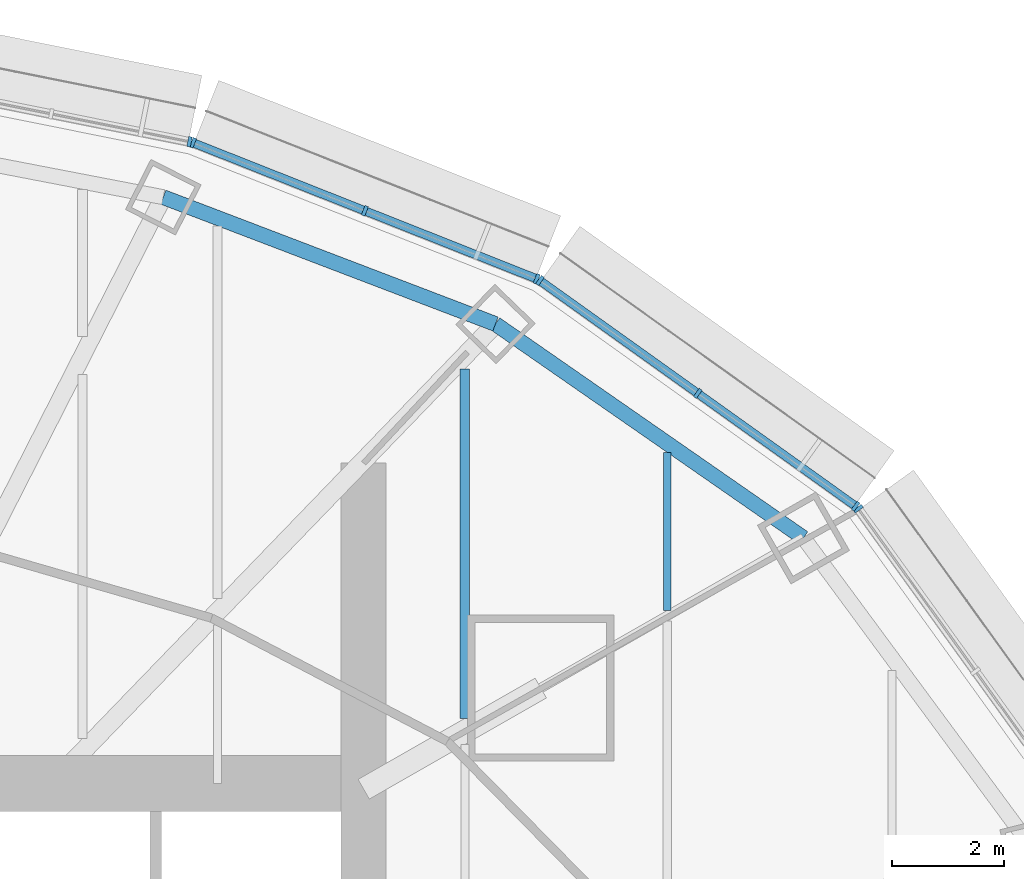
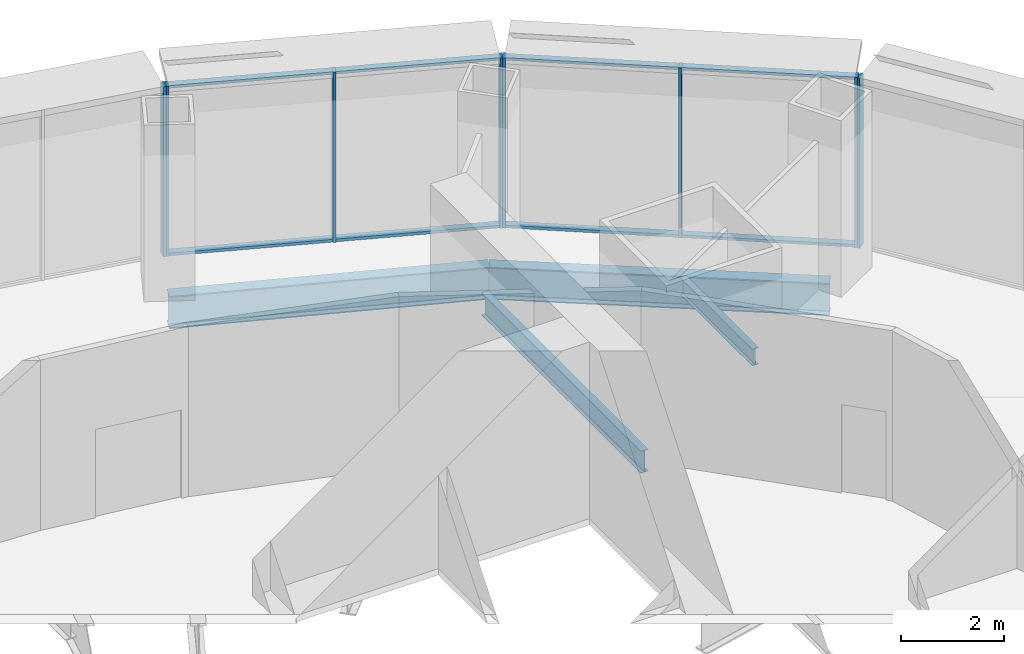
# One storey, part 9 of 16: 16 members, 4 beams, 4 elements without a shape of their own.
"""IFC4 building model written with IfcOpenShell, lengths in metres."""

from ifc_helpers import new_model, si_unit, direction, frame, origin, origin_2d, place, context, subcontext, project, spatial, rectangle, i_section, extrude, material, material_profile, profile_set, type_object, element, aggregate, save


model = new_model("IFC4")

# Units and contexts
model_context = context("Model", 3, precision=1e-05, world=origin(), true_north=direction((0.0, 1.0)))
body_context = subcontext(model_context, "Body", "Model", "MODEL_VIEW")
ifc_project = project(units=[si_unit("LENGTHUNIT", "METRE"), si_unit("AREAUNIT", "SQUARE_METRE"), si_unit("VOLUMEUNIT", "CUBIC_METRE"), si_unit("PLANEANGLEUNIT", "RADIAN"), si_unit("MASSUNIT", "GRAM", prefix="KILO")], contexts=[model_context])

# Site, building, storey
site_placement = place(None, origin())
site = spatial("IfcSite", under=ifc_project, at=site_placement, CompositionType="ELEMENT")
building_placement = place(site_placement, origin())
building = spatial("IfcBuilding", under=site, at=building_placement, Name="Lantaw Convention Tower", CompositionType="ELEMENT")
storey_placement = place(building_placement, frame((0.0, 0.0, 232.60009765625)))
storey = spatial("IfcBuildingStorey", under=building, at=storey_placement, Name="L54", CompositionType="ELEMENT", Elevation=232.60009765625)

# Beams
ifc_material_1 = material(Name="Steel ASTM A992", Category="steel")
ifc_material_profile_1 = material_profile(ifc_material_1, i_section(OverallWidth=0.2666015625, OverallDepth=0.76953125, WebThickness=0.015625, FlangeThickness=0.025390625, FilletRadius=0.0126953125, at=origin_2d()), Name="W30X132")
ifc_profile_set_1 = profile_set([ifc_material_profile_1], Name="Steel ASTM A992")
beam_type_1 = type_object("IfcBeamType", Name="Beam E W30X132", PredefinedType="SPANDREL", material=ifc_profile_set_1)
beam_1_placement = place(storey_placement, frame((20.423095703125, 11.67041015625, -0.534912109375), z_axis=(-0.82135329406, 0.570419815869, 0.0), x_axis=(-0.570419815869, -0.82135329406, 0.0)))
element("IfcBeam", 1, at=beam_1_placement, inside=storey, type_object=beam_type_1, Name="Edge beam 3", PredefinedType="SPANDREL", context=body_context, shape_type="SweptSolid", body=[
    extrude(i_section(OverallWidth=0.2666015625, OverallDepth=0.76953125, WebThickness=0.015625, FlangeThickness=0.025390625, FilletRadius=0.0126953125, at=origin_2d()), origin(), (0.0, 0.0, 1.0), 6.67041015625),
])
beam_2_placement = place(storey_placement, frame((14.9443359375, 15.475341796875, -0.534912109375), z_axis=(-0.934234988, 0.356658081637, 0.0), x_axis=(-0.356658081637, -0.934234988, 0.0)))
element("IfcBeam", 2, at=beam_2_placement, inside=storey, type_object=beam_type_1, Name="Edge beam 4", PredefinedType="SPANDREL", context=body_context, shape_type="SweptSolid", body=[
    extrude(i_section(OverallWidth=0.2666015625, OverallDepth=0.76953125, WebThickness=0.015625, FlangeThickness=0.025390625, FilletRadius=0.0126953125, at=origin_2d()), origin(), (0.0, 0.0, 1.0), 6.32568359375),
])
ifc_material_profile_2 = material_profile(ifc_material_1, i_section(OverallWidth=0.140380859375, OverallDepth=0.40380859375, WebThickness=0.007080078125, FlangeThickness=0.01123046875, FilletRadius=0.01025390625, at=origin_2d()), Name="W16X31")
ifc_profile_set_2 = profile_set([ifc_material_profile_2], Name="Steel ASTM A992")
beam_type_2 = type_object("IfcBeamType", Name="Beam J W16X31", PredefinedType="JOIST", material=ifc_profile_set_2)
beam_3_placement = place(storey_placement, frame((18.0, 10.380859375, -0.35205078125), z_axis=(0.0, 1.0, 0.0), x_axis=(-1.0, 0.0, 0.0)))
element("IfcBeam", 3, at=beam_3_placement, inside=storey, type_object=beam_type_2, Name="Floor joist", PredefinedType="JOIST", context=body_context, shape_type="SweptSolid", body=[
    extrude(i_section(OverallWidth=0.140380859375, OverallDepth=0.40380859375, WebThickness=0.007080078125, FlangeThickness=0.01123046875, FilletRadius=0.01025390625, at=origin_2d()), origin(), (0.0, 0.0, 1.0), 2.81005859375),
])
ifc_material_profile_3 = material_profile(ifc_material_1, i_section(OverallWidth=0.1650390625, OverallDepth=0.52587890625, WebThickness=0.0087890625, FlangeThickness=0.011474609375, FilletRadius=0.0126953125, at=origin_2d()), Name="W21X44")
ifc_profile_set_3 = profile_set([ifc_material_profile_3], Name="Steel ASTM A992")
beam_type_3 = type_object("IfcBeamType", Name="Beam J W21X44", PredefinedType="JOIST", material=ifc_profile_set_3)
beam_4_placement = place(storey_placement, frame((14.39990234375, 8.461181640625, -0.4130859375), z_axis=(0.0, 1.0, 0.0), x_axis=(-1.0, 0.0, 0.0)))
element("IfcBeam", 4, at=beam_4_placement, inside=storey, type_object=beam_type_3, Name="Floor joist", PredefinedType="JOIST", context=body_context, shape_type="SweptSolid", body=[
    extrude(i_section(OverallWidth=0.1650390625, OverallDepth=0.52587890625, WebThickness=0.0087890625, FlangeThickness=0.011474609375, FilletRadius=0.0126953125, at=origin_2d()), origin(), (0.0, 0.0, 1.0), 6.214599609375),
])

# Curtain wall, member
ifc_material_2 = material(Name="Aluminium framed curtain wall", Category="aluminium")
curtain_wall_type = type_object("IfcCurtainWallType", Name="Office curtain wall high rise, pale aluminium", PredefinedType="USERDEFINED", material=ifc_material_2)
curtain_wall_1_placement = place(storey_placement, origin())
curtain_wall_1 = element("IfcCurtainWall", 5, at=curtain_wall_1_placement, inside=storey, type_object=curtain_wall_type, Name="Office curtain wall high rise, pale aluminium L54", ObjectType="UNITISED CURTAIN WALL", PredefinedType="USERDEFINED")
ifc_material_3 = material(Name="Aluminium 6063-T6", Category="aluminium")
ifc_material_profile_4 = material_profile(ifc_material_3, rectangle(XDim=0.179931640625, YDim=0.06494140625, at=origin_2d()), Name="CW-O2 mullion 65x180")
ifc_profile_set_4 = profile_set([ifc_material_profile_4], Name="Aluminium 6063-T6")
member_type_1 = type_object("IfcMemberType", Name="CW-O2 mullion 65x180", PredefinedType="MULLION", material=ifc_profile_set_4)
member_1_placement = place(storey_placement, frame((21.397216796875, 12.189697265625, 0.0), z_axis=(0.0, 0.0, 1.0), x_axis=(-0.810919559405, -0.585157643865, 0.0)))
member_1 = element("IfcMember", 6, at=member_1_placement, type_object=member_type_1, Name="CW-O2 mullion 3", PredefinedType="MULLION", context=body_context, shape_type="SweptSolid", body=[
    extrude(rectangle(XDim=0.179931640625, YDim=0.06494140625, at=origin_2d()), origin(), (0.0, 0.0, 1.0), 4.0498046875),
])
aggregate(curtain_wall_1, [member_1])

# Curtain wall, members
curtain_wall_2_placement = place(storey_placement, origin())
curtain_wall_2 = element("IfcCurtainWall", 7, at=curtain_wall_2_placement, inside=storey, type_object=curtain_wall_type, Name="Office curtain wall high rise, pale aluminium L54", ObjectType="UNITISED CURTAIN WALL", PredefinedType="USERDEFINED")
member_2_placement = place(storey_placement, frame((21.3515625, 12.23486328125, 0.0), z_axis=(0.0, 0.0, 1.0), x_axis=(-0.581323487281, -0.813672540482, 0.0)))
member_2 = element("IfcMember", 8, at=member_2_placement, type_object=member_type_1, Name="CW-O2 mullion 1", PredefinedType="MULLION", context=body_context, shape_type="SweptSolid", body=[
    extrude(rectangle(XDim=0.179931640625, YDim=0.06494140625, at=origin_2d()), origin(), (0.0, 0.0, 1.0), 4.0498046875),
])
member_3_placement = place(storey_placement, frame((18.543212890625, 14.241455078125, 0.0), z_axis=(0.0, 0.0, 1.0), x_axis=(-0.581323487281, -0.813672540482, 0.0)))
member_3 = element("IfcMember", 9, at=member_3_placement, type_object=member_type_1, Name="CW-O2 mullion 2", PredefinedType="MULLION", context=body_context, shape_type="SweptSolid", body=[
    extrude(rectangle(XDim=0.179931640625, YDim=0.06494140625, at=origin_2d()), origin(), (0.0, 0.0, 1.0), 4.0498046875),
])
member_4_placement = place(storey_placement, frame((15.73486328125, 16.247802734375, 0.0), z_axis=(0.0, 0.0, 1.0), x_axis=(-0.581323487281, -0.813672540482, 0.0)))
member_4 = element("IfcMember", 10, at=member_4_placement, type_object=member_type_1, Name="CW-O2 mullion 3", PredefinedType="MULLION", context=body_context, shape_type="SweptSolid", body=[
    extrude(rectangle(XDim=0.179931640625, YDim=0.06494140625, at=origin_2d()), origin(), (0.0, 0.0, 1.0), 4.0498046875),
])

curtain_wall_3_placement = place(storey_placement, origin())
curtain_wall_3 = element("IfcCurtainWall", 11, at=curtain_wall_3_placement, inside=storey, type_object=curtain_wall_type, Name="Office curtain wall high rise, pale aluminium L54", ObjectType="UNITISED CURTAIN WALL", PredefinedType="USERDEFINED")
member_5_placement = place(storey_placement, frame((15.67822265625, 16.278564453125, 0.0), z_axis=(0.0, 0.0, 1.0), x_axis=(-0.368162315252, -0.929761533743, 0.0)))
member_5 = element("IfcMember", 12, at=member_5_placement, type_object=member_type_1, Name="CW-O2 mullion 1", PredefinedType="MULLION", context=body_context, shape_type="SweptSolid", body=[
    extrude(rectangle(XDim=0.179931640625, YDim=0.06494140625, at=origin_2d()), origin(), (0.0, 0.0, 1.0), 4.0498046875),
])
member_6_placement = place(storey_placement, frame((12.621337890625, 17.4892578125, 0.0), z_axis=(0.0, 0.0, 1.0), x_axis=(-0.368162315252, -0.929761533743, 0.0)))
member_6 = element("IfcMember", 13, at=member_6_placement, type_object=member_type_1, Name="CW-O2 mullion 2", PredefinedType="MULLION", context=body_context, shape_type="SweptSolid", body=[
    extrude(rectangle(XDim=0.179931640625, YDim=0.06494140625, at=origin_2d()), origin(), (0.0, 0.0, 1.0), 4.0498046875),
])
member_7_placement = place(storey_placement, frame((9.564208984375, 18.69970703125, 0.0), z_axis=(0.0, 0.0, 1.0), x_axis=(-0.368162315252, -0.929761533743, 0.0)))
member_7 = element("IfcMember", 14, at=member_7_placement, type_object=member_type_1, Name="CW-O2 mullion 3", PredefinedType="MULLION", context=body_context, shape_type="SweptSolid", body=[
    extrude(rectangle(XDim=0.179931640625, YDim=0.06494140625, at=origin_2d()), origin(), (0.0, 0.0, 1.0), 4.0498046875),
])

# Curtain wall, member
curtain_wall_4_placement = place(storey_placement, origin())
curtain_wall_4 = element("IfcCurtainWall", 15, at=curtain_wall_4_placement, inside=storey, type_object=curtain_wall_type, Name="Office curtain wall high rise, pale aluminium L54", ObjectType="UNITISED CURTAIN WALL", PredefinedType="USERDEFINED")
member_8_placement = place(storey_placement, frame((9.502197265625, 18.718017578125, 0.0), z_axis=(0.0, 0.0, 1.0), x_axis=(-0.197183095987, -0.980366679695, 0.0)))
member_8 = element("IfcMember", 16, at=member_8_placement, type_object=member_type_1, Name="CW-O2 mullion 1", PredefinedType="MULLION", context=body_context, shape_type="SweptSolid", body=[
    extrude(rectangle(XDim=0.179931640625, YDim=0.06494140625, at=origin_2d()), origin(), (0.0, 0.0, 1.0), 4.0498046875),
])
aggregate(curtain_wall_4, [member_8])

# Member
ifc_material_profile_5 = material_profile(ifc_material_3, rectangle(XDim=0.14990234375, YDim=0.06494140625, at=origin_2d()), Name="CW-O2 transom 65x150")
ifc_profile_set_5 = profile_set([ifc_material_profile_5], Name="Aluminium 6063-T6")
member_type_2 = type_object("IfcMemberType", Name="CW-O2 transom 65x150", PredefinedType="USERDEFINED", material=ifc_profile_set_5)
member_9_placement = place(storey_placement, frame((21.3251953125, 12.25390625, 0.032470703125), z_axis=(-0.813679882592, 0.581313210468, 0.0), x_axis=(-0.581313210468, -0.813679882592, 0.0)))
member_9 = element("IfcMember", 17, at=member_9_placement, type_object=member_type_2, Name="CW-O2 transom 1.1", ObjectType="TRANSOM", PredefinedType="USERDEFINED", context=body_context, shape_type="SweptSolid", body=[
    extrude(rectangle(XDim=0.14990234375, YDim=0.06494140625, at=origin_2d()), origin(), (0.0, 0.0, 1.0), 3.38623046875),
])

member_10_placement = place(storey_placement, frame((21.3251953125, 12.25390625, 4.017333984375), z_axis=(-0.813679882592, 0.581313210468, 0.0), x_axis=(-0.581313210468, -0.813679882592, 0.0)))
member_10 = element("IfcMember", 18, at=member_10_placement, type_object=member_type_2, Name="CW-O2 transom 1.2", ObjectType="TRANSOM", PredefinedType="USERDEFINED", context=body_context, shape_type="SweptSolid", body=[
    extrude(rectangle(XDim=0.14990234375, YDim=0.06494140625, at=origin_2d()), origin(), (0.0, 0.0, 1.0), 3.38623046875),
])

member_11_placement = place(storey_placement, frame((18.516845703125, 14.26025390625, 0.032470703125), z_axis=(-0.813645780821, 0.581360940683, 0.0), x_axis=(-0.581360940683, -0.813645780821, 0.0)))
member_11 = element("IfcMember", 19, at=member_11_placement, type_object=member_type_2, Name="CW-O2 transom 2.1", ObjectType="TRANSOM", PredefinedType="USERDEFINED", context=body_context, shape_type="SweptSolid", body=[
    extrude(rectangle(XDim=0.14990234375, YDim=0.06494140625, at=origin_2d()), origin(), (0.0, 0.0, 1.0), 3.386474609375),
])

member_12_placement = place(storey_placement, frame((18.516845703125, 14.26025390625, 4.017333984375), z_axis=(-0.813645780821, 0.581360940683, 0.0), x_axis=(-0.581360940683, -0.813645780821, 0.0)))
member_12 = element("IfcMember", 20, at=member_12_placement, type_object=member_type_2, Name="CW-O2 transom 2.2", ObjectType="TRANSOM", PredefinedType="USERDEFINED", context=body_context, shape_type="SweptSolid", body=[
    extrude(rectangle(XDim=0.14990234375, YDim=0.06494140625, at=origin_2d()), origin(), (0.0, 0.0, 1.0), 3.386474609375),
])

aggregate(curtain_wall_2, [member_2, member_3, member_4, member_9, member_10, member_11, member_12])

member_13_placement = place(storey_placement, frame((15.648193359375, 16.29052734375, 0.032470703125), z_axis=(-0.929740712354, 0.368214893495, 0.0), x_axis=(-0.368214893495, -0.929740712354, 0.0)))
member_13 = element("IfcMember", 21, at=member_13_placement, type_object=member_type_2, Name="CW-O2 transom 1.1", ObjectType="TRANSOM", PredefinedType="USERDEFINED", context=body_context, shape_type="SweptSolid", body=[
    extrude(rectangle(XDim=0.14990234375, YDim=0.06494140625, at=origin_2d()), origin(), (0.0, 0.0, 1.0), 3.22314453125),
])

member_14_placement = place(storey_placement, frame((15.648193359375, 16.29052734375, 4.017333984375), z_axis=(-0.929740712354, 0.368214893495, 0.0), x_axis=(-0.368214893495, -0.929740712354, 0.0)))
member_14 = element("IfcMember", 22, at=member_14_placement, type_object=member_type_2, Name="CW-O2 transom 1.2", ObjectType="TRANSOM", PredefinedType="USERDEFINED", context=body_context, shape_type="SweptSolid", body=[
    extrude(rectangle(XDim=0.14990234375, YDim=0.06494140625, at=origin_2d()), origin(), (0.0, 0.0, 1.0), 3.22314453125),
])

member_15_placement = place(storey_placement, frame((12.591064453125, 17.501220703125, 0.032470703125), z_axis=(-0.929766642946, 0.368149412149, 0.0), x_axis=(-0.368149412149, -0.929766642946, 0.0)))
member_15 = element("IfcMember", 23, at=member_15_placement, type_object=member_type_2, Name="CW-O2 transom 2.1", ObjectType="TRANSOM", PredefinedType="USERDEFINED", context=body_context, shape_type="SweptSolid", body=[
    extrude(rectangle(XDim=0.14990234375, YDim=0.06494140625, at=origin_2d()), origin(), (0.0, 0.0, 1.0), 3.222900390625),
])

member_16_placement = place(storey_placement, frame((12.591064453125, 17.501220703125, 4.017333984375), z_axis=(-0.929766642946, 0.368149412149, 0.0), x_axis=(-0.368149412149, -0.929766642946, 0.0)))
member_16 = element("IfcMember", 24, at=member_16_placement, type_object=member_type_2, Name="CW-O2 transom 2.2", ObjectType="TRANSOM", PredefinedType="USERDEFINED", context=body_context, shape_type="SweptSolid", body=[
    extrude(rectangle(XDim=0.14990234375, YDim=0.06494140625, at=origin_2d()), origin(), (0.0, 0.0, 1.0), 3.222900390625),
])

aggregate(curtain_wall_3, [member_5, member_6, member_7, member_13, member_14, member_15, member_16])

save(model, "model.ifc")
